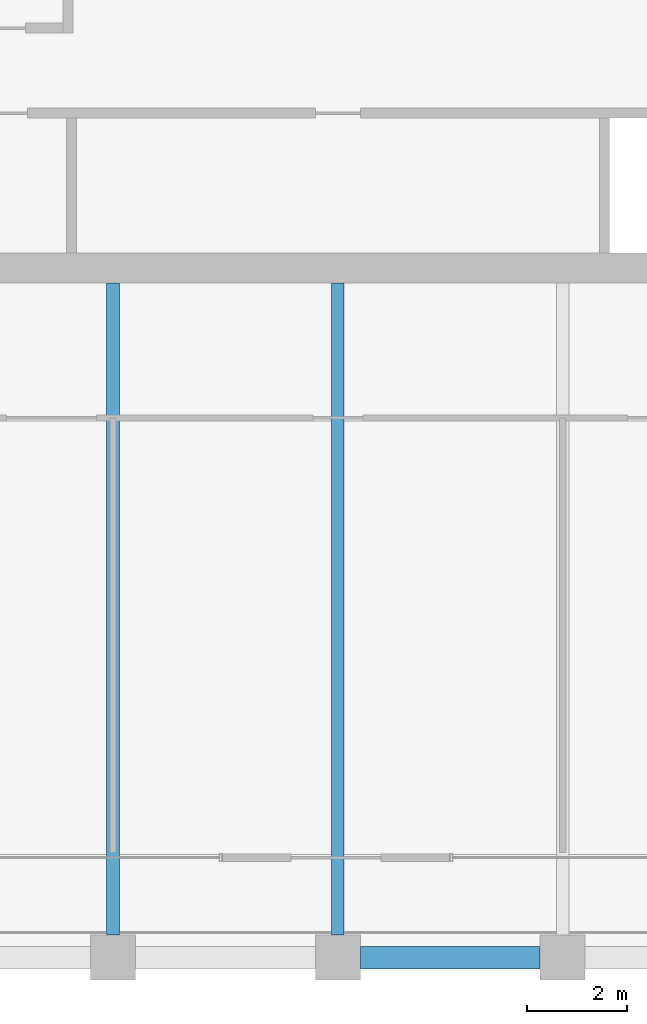
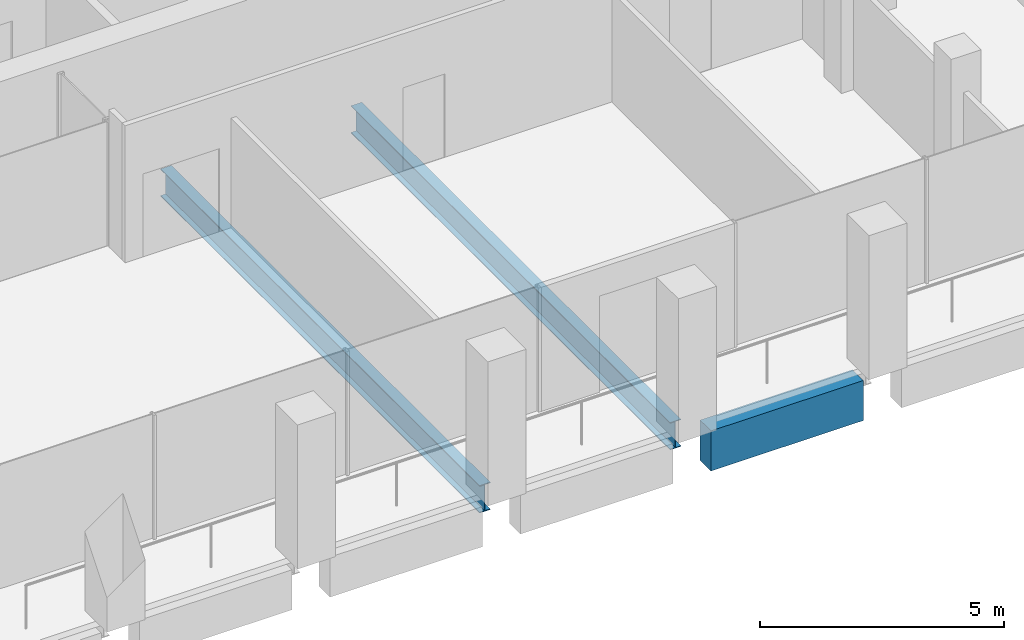
# One storey, part 8 of 40: 3 beams.
"""IFC4 building model written with IfcOpenShell, lengths in metres."""

from ifc_helpers import new_model, si_unit, direction, frame, origin, origin_2d, place, context, subcontext, project, spatial, rectangle, i_section, extrude, material, material_profile, profile_set, type_object, element, save


model = new_model("IFC4")

# Units and contexts
model_context = context("Model", 3, precision=1e-05, world=origin(), true_north=direction((0.0, 1.0)))
body_context = subcontext(model_context, "Body", "Model", "MODEL_VIEW")
ifc_project = project(units=[si_unit("LENGTHUNIT", "METRE"), si_unit("AREAUNIT", "SQUARE_METRE"), si_unit("VOLUMEUNIT", "CUBIC_METRE"), si_unit("PLANEANGLEUNIT", "RADIAN"), si_unit("MASSUNIT", "GRAM", prefix="KILO")], contexts=[model_context])

# Site, building, storey
site_placement = place(None, origin())
site = spatial("IfcSite", under=ifc_project, at=site_placement, CompositionType="ELEMENT")
building_placement = place(site_placement, origin())
building = spatial("IfcBuilding", under=site, at=building_placement, Name="Altepetl Exchange Towers", CompositionType="ELEMENT")
storey_placement = place(building_placement, frame((0.0, 0.0, 172.60009765625)))
storey = spatial("IfcBuildingStorey", under=building, at=storey_placement, Name="L43", CompositionType="ELEMENT", Elevation=172.60009765625)

# Beams
ifc_material_1 = material(Name="Steel S355", Category="steel")
ifc_material_profile_1 = material_profile(ifc_material_1, i_section(OverallWidth=0.25390625, OverallDepth=0.68408203125, WebThickness=0.012451171875, FlangeThickness=0.018798828125, at=origin_2d()), Name="W27X94")
ifc_profile_set_1 = profile_set([ifc_material_profile_1], Name="Steel S355")
beam_type_1 = type_object("IfcBeamType", Name="Floor beam W27X94", PredefinedType="BEAM", material=ifc_profile_set_1)
for number, where, z_axis, x_axis, name in (
    (1, (45.0, 27.449951171875, -0.4921875), (0.0, 1.0, 0.0), (-1.0, 0.0, 0.0), "bm:A:L43:015"),
    (2, (49.5, 27.449951171875, -0.4921875), (0.0, 1.0, 0.0), (-1.0, 0.0, 0.0), "bm:A:L43:016"),
):
    element("IfcBeam", number, at=place(storey_placement, frame(where, z_axis=z_axis, x_axis=x_axis)), inside=storey, type_object=beam_type_1, Name=name, PredefinedType="BEAM", context=body_context, shape_type="SweptSolid", body=[
        extrude(i_section(OverallWidth=0.25390625, OverallDepth=0.68408203125, WebThickness=0.012451171875, FlangeThickness=0.018798828125, at=origin_2d()), origin(), (0.0, 0.0, 1.0), 13.050048828125),
    ])
ifc_material_2 = material(Name="Concrete C50/60 precast with cantera blanca facing", Category="concrete")
ifc_material_profile_2 = material_profile(ifc_material_2, rectangle(XDim=0.449951171875, YDim=1.0, at=origin_2d()), Name="450 x 1000")
ifc_profile_set_2 = profile_set([ifc_material_profile_2], Name="Concrete C50/60 precast with cantera blanca facing")
beam_type_2 = type_object("IfcBeamType", Name="Spandrel beam 450x1000 cantera blanca", PredefinedType="SPANDREL", material=ifc_profile_set_2)
beam_placement = place(storey_placement, frame((49.949951171875, 27.0, -0.650146484375), z_axis=(1.0, 0.0, 0.0), x_axis=(0.0, 1.0, 0.0)))
element("IfcBeam", 3, at=beam_placement, inside=storey, type_object=beam_type_2, Name="sp:A:L43:004", PredefinedType="SPANDREL", context=body_context, shape_type="SweptSolid", body=[
    extrude(rectangle(XDim=0.449951171875, YDim=1.0, at=origin_2d()), origin(), (0.0, 0.0, 1.0), 3.60009765625),
])

save(model, "model.ifc")
